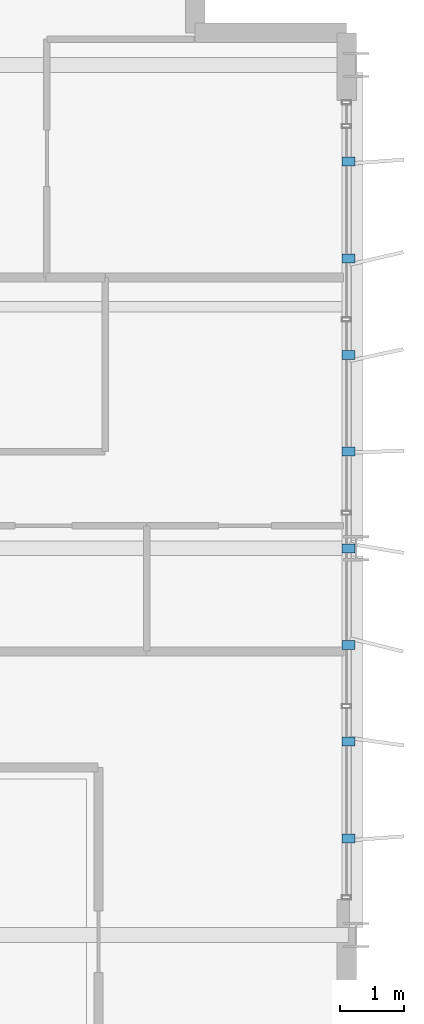
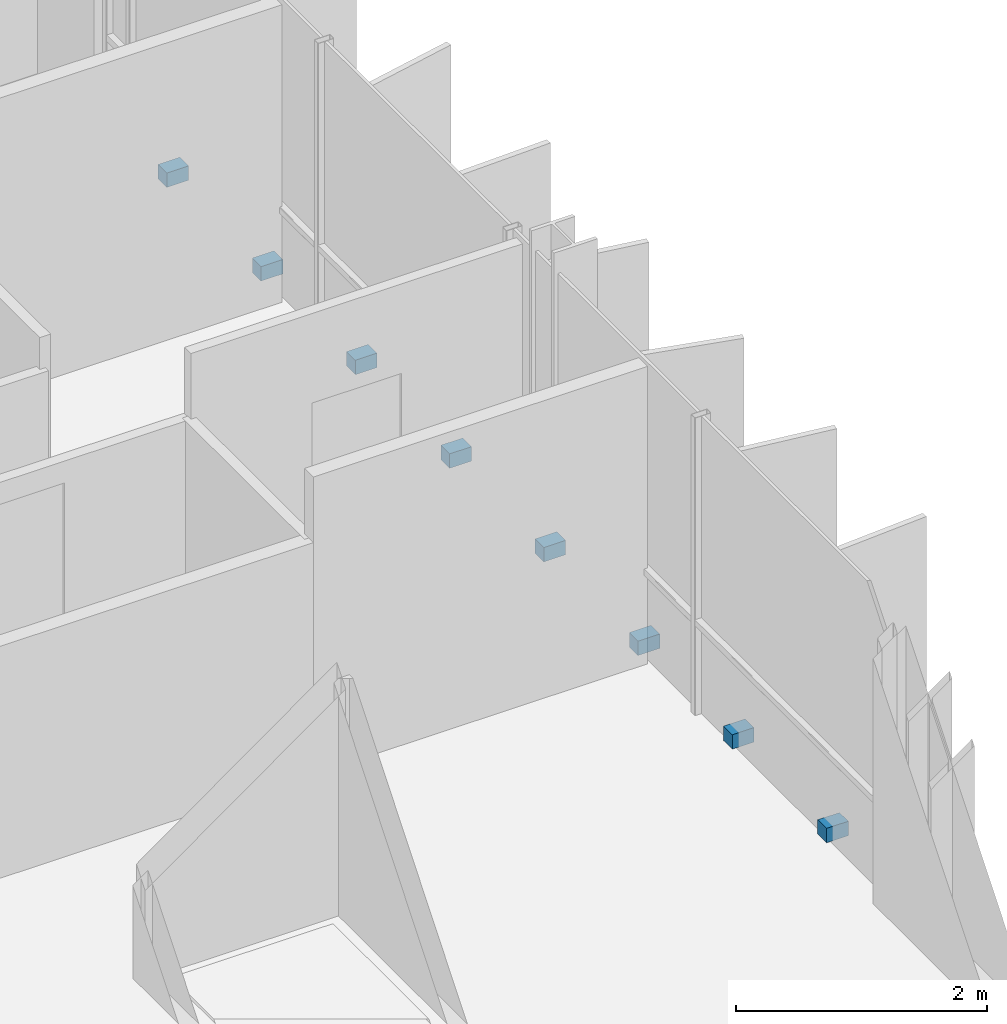
# One storey, part 34 of 38: 8 discrete accessories.
"""IFC4 building model written with IfcOpenShell, lengths in metres."""

from ifc_helpers import new_model, si_unit, direction, frame, origin, origin_2d, place, context, subcontext, project, spatial, rectangle, extrude, material, type_object, element, save


model = new_model("IFC4")

# Units and contexts
model_context = context("Model", 3, precision=1e-05, world=origin(), true_north=direction((0.0, 1.0)))
body_context = subcontext(model_context, "Body", "Model", "MODEL_VIEW")
ifc_project = project(units=[si_unit("LENGTHUNIT", "METRE"), si_unit("AREAUNIT", "SQUARE_METRE"), si_unit("VOLUMEUNIT", "CUBIC_METRE"), si_unit("PLANEANGLEUNIT", "RADIAN"), si_unit("MASSUNIT", "GRAM", prefix="KILO")], contexts=[model_context])

# Site, building, storey
site_placement = place(None, origin())
site = spatial("IfcSite", under=ifc_project, at=site_placement, CompositionType="ELEMENT")
building_placement = place(site_placement, origin())
building = spatial("IfcBuilding", under=site, at=building_placement, Name="Brevholm Reach", CompositionType="ELEMENT")
storey_placement = place(building_placement, frame((0.0, 0.0, 172.800048828125)))
storey = spatial("IfcBuildingStorey", under=building, at=storey_placement, Name="L52", CompositionType="ELEMENT", Elevation=172.800048828125)

# Discrete accessories
ifc_material = material(Name="Duplex Stainless Steel EN 1.4462", Category="steel")
discrete_accessory_type = type_object("IfcDiscreteAccessoryType", Name="ACC-BRK-01", PredefinedType="BRACKET", material=ifc_material)
for number, where, z_axis, x_axis, name in (
    (1, (59.8798828125, 11.5, 0.02978515625), (0.0, 0.0, 1.0), (1.0, 0.0, 0.0), "L52 Solar Screen Support Bracket 1"),
    (2, (59.8798828125, 13.0, 0.02978515625), (0.0, 0.0, 1.0), (1.0, 0.0, 0.0), "L52 Solar Screen Support Bracket 2"),
    (3, (59.8798828125, 14.5, 0.02978515625), (0.0, 0.0, 1.0), (1.0, 0.0, 0.0), "L52 Solar Screen Support Bracket 3"),
    (4, (59.8798828125, 16.0, 0.02978515625), (0.0, 0.0, 1.0), (1.0, 0.0, 0.0), "L52 Solar Screen Support Bracket 4"),
    (5, (59.8798828125, 17.5, 0.02978515625), (0.0, 0.0, 1.0), (1.0, 0.0, 0.0), "L52 Solar Screen Support Bracket 5"),
    (6, (59.8798828125, 19.0, 0.02978515625), (0.0, 0.0, 1.0), (1.0, 0.0, 0.0), "L52 Solar Screen Support Bracket 6"),
    (7, (59.8798828125, 20.5, 0.02978515625), (0.0, 0.0, 1.0), (1.0, 0.0, 0.0), "L52 Solar Screen Support Bracket 7"),
    (8, (59.8798828125, 22.0, 0.02978515625), (0.0, 0.0, 1.0), (1.0, 0.0, 0.0), "L52 Solar Screen Support Bracket 8"),
):
    element("IfcDiscreteAccessory", number, at=place(storey_placement, frame(where, z_axis=z_axis, x_axis=x_axis)), inside=storey, type_object=discrete_accessory_type, Name=name, PredefinedType="BRACKET", context=body_context, shape_type="SweptSolid", body=[
        extrude(rectangle(XDim=0.199951171875, YDim=0.139892578125, at=origin_2d()), origin(), (0.0, 0.0, 1.0), 0.139892578125),
    ])

save(model, "model.ifc")
